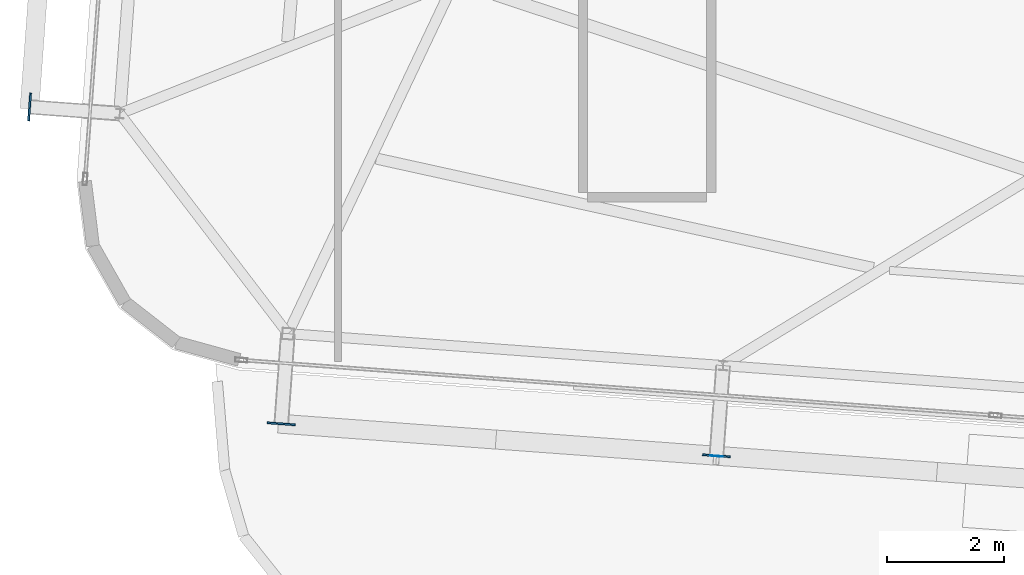
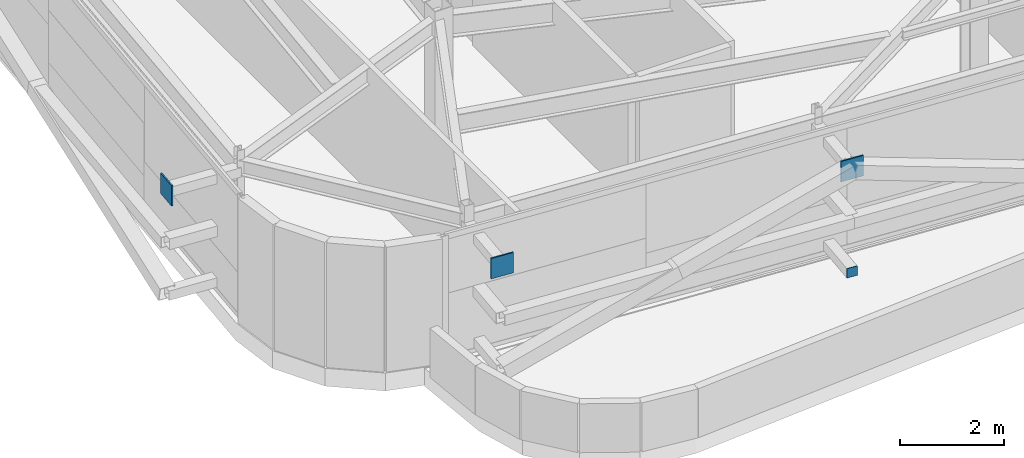
# One storey, part 25 of 37: 4 plates.
"""IFC4 building model written with IfcOpenShell, lengths in metres."""

import ifcopenshell
import ifcopenshell.guid

model = None  # the IFC model being written
_history = None  # IfcOwnerHistory: only IFC2X3 demands one
_inside = {}  # id of a spatial element -> (the spatial element, [elements in it])
_under = {}  # id of a project, library or spatial element -> (it, [spatial elements below it])
_declared = {}  # id of a project -> (the project, [libraries it declares])
_typed = {}  # id of a type object -> (the type object, [elements of that type])
_made_of = {}  # id of a material, layer set ... -> (it, [elements and type objects made of it])


def new_model(schema):
    """Start an empty IFC model of exactly this schema.

    Asked for "IFC4X3", IfcOpenShell would pick the latest addendum, in which some entities
    have other attributes; the version numbers below select the first issue.
    IFC2X3 requires an IfcOwnerHistory on every rooted entity: one is made here for all.
    """
    global model, _history
    if schema == "IFC4X3":
        model = ifcopenshell.file(schema_version=(4, 3, 0, 0))
    else:
        model = ifcopenshell.file(schema=schema)
    _inside.clear()
    _under.clear()
    _declared.clear()
    _typed.clear()
    _made_of.clear()
    _history = None
    if model.schema == "IFC2X3":
        org = make("IfcOrganization", Name="unknown")
        user = make(
            "IfcPersonAndOrganization",
            ThePerson=make("IfcPerson", FamilyName="unknown"),
            TheOrganization=org,
        )
        app = make(
            "IfcApplication",
            ApplicationDeveloper=org,
            Version="unknown",
            ApplicationFullName="unknown",
            ApplicationIdentifier="unknown",
        )
        _history = make(
            "IfcOwnerHistory",
            OwningUser=user,
            OwningApplication=app,
            ChangeAction="ADDED",
            CreationDate=0,
        )
    return model


def make(cls, **values):
    """One entity of the class cls with the attributes given. An attribute that is None is left unset."""
    return model.create_entity(
        cls, **{name: value for name, value in values.items() if value is not None}
    )


def rooted(cls, **values):
    """An entity with a GlobalId (a new one), such as an element, a storey or a relation."""
    return make(cls, GlobalId=ifcopenshell.guid.new(), OwnerHistory=_history, **values)


def si_unit(unit_type, name, prefix=None):
    """IfcSIUnit, for example si_unit("LENGTHUNIT", "METRE", prefix="MILLI")."""
    return make("IfcSIUnit", UnitType=unit_type, Prefix=prefix, Name=name)


def assignment(units):
    """IfcUnitAssignment: the units of a project."""
    return None if units is None else make("IfcUnitAssignment", Units=units)


def point(xyz):
    """IfcCartesianPoint."""
    return None if xyz is None else make("IfcCartesianPoint", Coordinates=xyz)


def direction(xyz):
    """IfcDirection."""
    return None if xyz is None else make("IfcDirection", DirectionRatios=xyz)


def frame(location, z_axis=None, x_axis=None):
    """IfcAxis2Placement3D, a coordinate frame: its origin and axes. An axis left out is left unset."""
    return make(
        "IfcAxis2Placement3D",
        Location=point(location),
        Axis=direction(z_axis),
        RefDirection=direction(x_axis),
    )


def frame_2d(location, x_axis=None):
    """IfcAxis2Placement2D, a coordinate frame in the plane: its origin and x axis."""
    return make(
        "IfcAxis2Placement2D", Location=point(location), RefDirection=direction(x_axis)
    )


def origin():
    """The frame at (0, 0, 0) with its axes left unset."""
    return frame((0.0, 0.0, 0.0))


def origin_2d():
    """The frame at (0, 0) in the plane with its x axis left unset."""
    return frame_2d((0.0, 0.0))


def place(relative_to, where):
    """IfcLocalPlacement: puts the frame where relative to a parent placement (None: the world)."""
    return make(
        "IfcLocalPlacement", PlacementRelTo=relative_to, RelativePlacement=where
    )


def context(
    kind, dimensions, precision=None, world=None, true_north=None, identifier=None
):
    """IfcGeometricRepresentationContext, for example the 3D "Model" context."""
    return make(
        "IfcGeometricRepresentationContext",
        ContextIdentifier=identifier,
        ContextType=kind,
        CoordinateSpaceDimension=dimensions,
        Precision=precision,
        WorldCoordinateSystem=world,
        TrueNorth=true_north,
    )


def subcontext(parent, identifier, kind, view, scale=None):
    """IfcGeometricRepresentationSubContext, for example "Body" below "Model"."""
    return make(
        "IfcGeometricRepresentationSubContext",
        ContextIdentifier=identifier,
        ContextType=kind,
        ParentContext=parent,
        TargetScale=scale,
        TargetView=view,
    )


def project(units=None, contexts=None):
    """IfcProject with its units and contexts."""
    return rooted(
        "IfcProject",
        Name="project",
        RepresentationContexts=contexts,
        UnitsInContext=assignment(units),
    )


def spatial(cls, under=None, at=None, **own):
    """A site, building, storey or space (cls), placed at a placement, below another one or the project."""
    s = rooted(cls, ObjectPlacement=at, **own)
    if under is not None:
        _under.setdefault(under.id(), (under, []))[1].append(s)
    return s


def profile(cls, at=None, kind="AREA", **sizes):
    """A parametric profile (cls). Its sizes go by their IFC names, for example OverallWidth=200.0."""
    return make(cls, ProfileType=kind, Position=at, **sizes)


def rectangle(**sizes):
    """IfcRectangleProfileDef."""
    return profile("IfcRectangleProfileDef", **sizes)


def extrude(swept, where, along, depth):
    """IfcExtrudedAreaSolid: the profile swept, set in the frame where, extruded along a direction by depth."""
    return make(
        "IfcExtrudedAreaSolid",
        SweptArea=swept,
        Position=where,
        ExtrudedDirection=direction(along),
        Depth=depth,
    )


def shape(context_of_items, identifier, shape_type, items):
    """IfcShapeRepresentation: the items that make up one representation, for example the "Body"."""
    return make(
        "IfcShapeRepresentation",
        ContextOfItems=context_of_items,
        RepresentationIdentifier=identifier,
        RepresentationType=shape_type,
        Items=items,
    )


def source(mapping_origin, context_of_items, identifier, shape_type, items):
    """IfcRepresentationMap: a shape defined once, which mapped items show again and again."""
    return make(
        "IfcRepresentationMap",
        MappingOrigin=mapping_origin,
        MappedRepresentation=shape(context_of_items, identifier, shape_type, items),
    )


def transform(
    local_origin,
    x_axis=None,
    y_axis=None,
    z_axis=None,
    scale=None,
    scale2=None,
    scale3=None,
    uniform=True,
):
    """IfcCartesianTransformationOperator3D, or its non-uniform kind. x_axis, y_axis, z_axis: its Axis1, 2, 3."""
    if uniform:
        return make(
            "IfcCartesianTransformationOperator3D",
            Axis1=direction(x_axis),
            Axis2=direction(y_axis),
            LocalOrigin=point(local_origin),
            Scale=scale,
            Axis3=direction(z_axis),
        )
    return make(
        "IfcCartesianTransformationOperator3DnonUniform",
        Axis1=direction(x_axis),
        Axis2=direction(y_axis),
        LocalOrigin=point(local_origin),
        Scale=scale,
        Axis3=direction(z_axis),
        Scale2=scale2,
        Scale3=scale3,
    )


def mapped(mapping_source, mapping_target):
    """IfcMappedItem: shows the shape of a source again, moved by a transform."""
    return make(
        "IfcMappedItem", MappingSource=mapping_source, MappingTarget=mapping_target
    )


def material(Name=None, Category=None):
    """IfcMaterial."""
    return make("IfcMaterial", Name=Name, Category=Category)


def layer(
    of_material, thickness, ventilated=None, Name=None, Category=None, Priority=None
):
    """IfcMaterialLayer: one layer of a wall or slab, of a material (None: an air gap)."""
    return make(
        "IfcMaterialLayer",
        Material=of_material,
        LayerThickness=thickness,
        IsVentilated=ventilated,
        Name=Name,
        Category=Category,
        Priority=Priority,
    )


def layer_set(layers, Name=None):
    """IfcMaterialLayerSet."""
    return make("IfcMaterialLayerSet", MaterialLayers=layers, LayerSetName=Name)


def made_of(thing, what):
    """Note that an element or type object is made of a material, layer set ...; save() writes the relation."""
    if what is not None:
        _made_of.setdefault(what.id(), (what, []))[1].append(thing)
    return thing


def type_object(cls, material=None, **own):
    """A type object (cls), such as IfcWallType, which elements share."""
    return made_of(rooted(cls, **own), material)


def element(
    cls,
    number,
    at=None,
    inside=None,
    cuts=None,
    type_object=None,
    material=None,
    context=None,
    identifier="Body",
    shape_type=None,
    held_by="IfcProductDefinitionShape",
    body=None,
    shapes=None,
    **own,
):
    """One element of the class cls, such as IfcWall. Its Tag is "e" and its number.

    at: its placement. inside: the storey or other place that contains it. cuts: it is an
    opening in that element (IfcRelVoidsElement). A single representation is given by context,
    identifier, shape_type and body (its items); several are given by shapes. held_by: the class
    of the entity that holds the representations. save() writes the other relations.
    """
    e = rooted(cls, Tag="e%d" % number, ObjectPlacement=at, **own)
    if body is not None:
        shapes = [shape(context, identifier, shape_type, body)]
    if shapes is not None:
        e.Representation = make(held_by, Representations=shapes)
    if inside is not None:
        _inside.setdefault(inside.id(), (inside, []))[1].append(e)
    if cuts is not None:
        rooted(
            "IfcRelVoidsElement", RelatingBuildingElement=cuts, RelatedOpeningElement=e
        )
    if type_object is not None:
        _typed.setdefault(type_object.id(), (type_object, []))[1].append(e)
    return made_of(e, material)


def aggregate(whole, parts):
    """IfcRelAggregates: a whole, such as a stair, and the parts it consists of."""
    return rooted("IfcRelAggregates", RelatingObject=whole, RelatedObjects=parts)


def save(model, path):
    """Write the relations noted so far, then the file.

    IfcRelAggregates (storeys below a building ...), IfcRelContainedInSpatialStructure (elements
    in a storey), IfcRelDefinesByType, IfcRelAssociatesMaterial and IfcRelDeclares: one each for
    every whole, place, type object, material and project.
    """
    for whole, parts in _under.values():
        aggregate(whole, parts)
    for where, things in _inside.values():
        rooted(
            "IfcRelContainedInSpatialStructure",
            RelatedElements=things,
            RelatingStructure=where,
        )
    for kind, things in _typed.values():
        rooted("IfcRelDefinesByType", RelatedObjects=things, RelatingType=kind)
    for what, things in _made_of.values():
        rooted("IfcRelAssociatesMaterial", RelatedObjects=things, RelatingMaterial=what)
    for by, libraries in _declared.values():
        rooted("IfcRelDeclares", RelatingContext=by, RelatedDefinitions=libraries)
    model.write(path)


model = new_model("IFC4")

# Units and contexts
model_context = context("Model", 3, precision=1e-05, world=origin(), true_north=direction((0.0, 1.0)))
body_context = subcontext(model_context, "Body", "Model", "MODEL_VIEW")
ifc_project = project(units=[si_unit("LENGTHUNIT", "METRE"), si_unit("AREAUNIT", "SQUARE_METRE"), si_unit("VOLUMEUNIT", "CUBIC_METRE"), si_unit("PLANEANGLEUNIT", "RADIAN"), si_unit("MASSUNIT", "GRAM", prefix="KILO")], contexts=[model_context])

# Site, building, storey
site_placement = place(None, origin())
site = spatial("IfcSite", under=ifc_project, at=site_placement, CompositionType="ELEMENT")
building_placement = place(site_placement, origin())
building = spatial("IfcBuilding", under=site, at=building_placement, Name="Taldren Reach Tower", CompositionType="ELEMENT")
storey_placement = place(building_placement, frame((0.0, 0.0, 211.39990234375)))
storey = spatial("IfcBuildingStorey", under=building, at=storey_placement, Name="L64", CompositionType="ELEMENT", Elevation=211.39990234375)

# Plates
ifc_material = material(Name="Steel Gr 450 (C450L0)", Category="steel")
ifc_layer_1 = layer(ifc_material, 0.031982421875)
ifc_layer_set_1 = layer_set([ifc_layer_1], Name="Steel Gr 450 (C450L0)")
plate_type_1 = type_object("IfcPlateType", Name="PL-GUSSET-32", PredefinedType="SHEET", material=ifc_layer_set_1)
shared_shape_1 = source(origin(), body_context, "Body", "SweptSolid", [
    extrude(rectangle(XDim=0.47998046875, YDim=0.031982421875, at=origin_2d()), origin(), (0.0, 0.0, 1.0), 0.47998046875),
])
for number, where, z_axis, x_axis, name in (
    (1, (15.027099609375, 4.914306640625, 2.41015625), (0.0, 0.0, 1.0), (0.997314477224, -0.073238197128, 0.0), "Exoskeleton star-node gusset plate B5-S1 L64"),
    (2, (22.487060546875, 4.36669921875, 2.41015625), (0.0, 0.0, 1.0), (0.997314477224, -0.073238197128, 0.0), "Exoskeleton star-node gusset plate B5-S2 L64"),
    (3, (10.71337890625, 10.344970703125, 2.41015625), (0.0, 0.0, 1.0), (0.073238197128, 0.997314477224, 0.0), "Exoskeleton star-node gusset plate B5-W1 L64"),
):
    element("IfcPlate", number, at=place(storey_placement, frame(where, z_axis=z_axis, x_axis=x_axis)), inside=storey, type_object=plate_type_1, Name=name, PredefinedType="SHEET", context=body_context, shape_type="MappedRepresentation", body=[
        mapped(shared_shape_1, transform((0.0, 0.0, 0.0), scale=1.0)),
    ])
ifc_layer_2 = layer(ifc_material, 0.011962890625)
ifc_layer_set_2 = layer_set([ifc_layer_2], Name="Steel Gr 450 (C450L0)")
plate_type_2 = type_object("IfcPlateType", Name="PL-CAP-220", PredefinedType="SHEET", material=ifc_layer_set_2)
shared_shape_2 = source(origin(), body_context, "Body", "SweptSolid", [
    extrude(rectangle(XDim=0.219970703125, YDim=0.011962890625, at=origin_2d()), origin(), (0.0, 0.0, 1.0), 0.219970703125),
])
plate_placement = place(storey_placement, frame((22.486572265625, 4.360595703125, 0.1103515625), z_axis=(0.0, 0.0, 1.0), x_axis=(0.997314477224, -0.073238197128, 0.0)))
element("IfcPlate", 4, at=plate_placement, inside=storey, type_object=plate_type_2, Name="Tie strut end cap plate B5-S2 L64", PredefinedType="SHEET", context=body_context, shape_type="MappedRepresentation", body=[
    mapped(shared_shape_2, transform((0.0, 0.0, 0.0), scale=1.0)),
])

save(model, "model.ifc")
